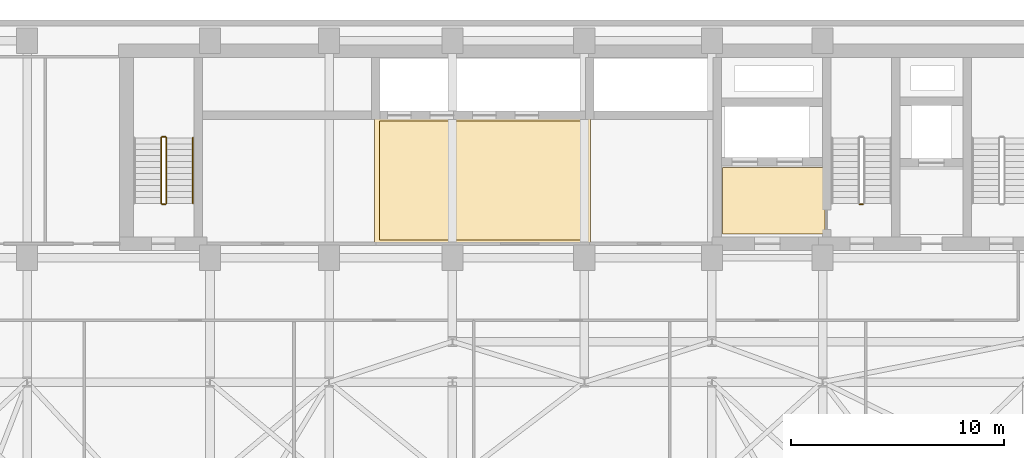
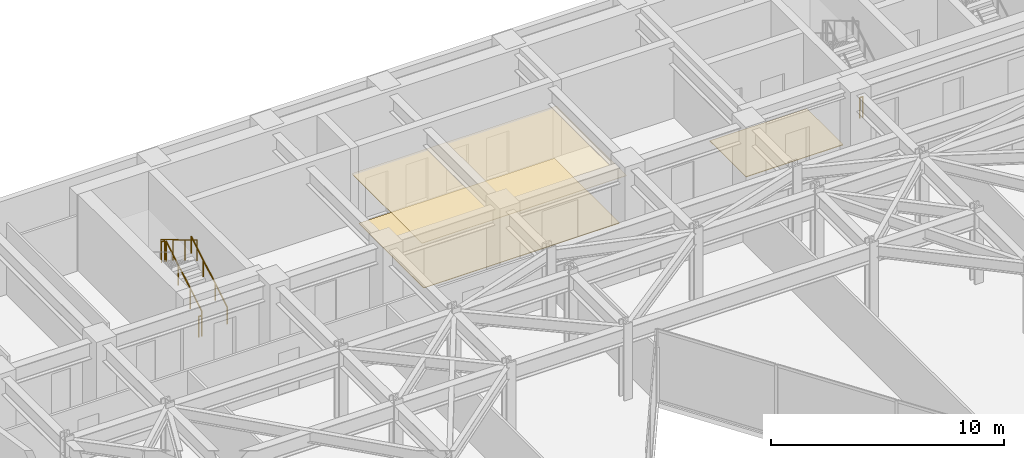
# One storey, part 23 of 24: 6 railings, 3 coverings.
"""IFC4 building model written with IfcOpenShell, lengths in metres."""

from ifc_helpers import new_model, si_unit, direction, frame, origin, origin_2d, place, context, subcontext, project, spatial, polyline, circle, outline, extrude, material, layer, layer_set, type_object, element, save


model = new_model("IFC4")

# Units and contexts
model_context = context("Model", 3, precision=1e-05, world=origin(), true_north=direction((0.0, 1.0)))
body_context = subcontext(model_context, "Body", "Model", "MODEL_VIEW")
ifc_project = project(units=[si_unit("LENGTHUNIT", "METRE"), si_unit("AREAUNIT", "SQUARE_METRE"), si_unit("VOLUMEUNIT", "CUBIC_METRE"), si_unit("PLANEANGLEUNIT", "RADIAN"), si_unit("MASSUNIT", "GRAM", prefix="KILO")], contexts=[model_context])

# Site, building, storey
site_placement = place(None, origin())
site = spatial("IfcSite", under=ifc_project, at=site_placement, CompositionType="ELEMENT")
building_placement = place(site_placement, origin())
building = spatial("IfcBuilding", under=site, at=building_placement, Name="Kravanh Interchange Tower", CompositionType="ELEMENT")
storey_placement = place(building_placement, frame((0.0, 0.0, 96.0)))
storey = spatial("IfcBuildingStorey", under=building, at=storey_placement, Name="L22", CompositionType="ELEMENT", Elevation=96.0)

# Coverings
ifc_material_1 = material(Name="Cementitious Terrazzo Tile")
ifc_layer_1 = layer(ifc_material_1, 0.030029296875)
ifc_layer_set_1 = layer_set([ifc_layer_1], Name="Honed Terrazzo Lobby Flooring 30mm")
covering_type_1 = type_object("IfcCoveringType", Name="Honed Terrazzo Lobby Flooring 30mm", PredefinedType="FLOORING", material=ifc_layer_set_1)
covering_1_placement = place(storey_placement, origin())
element("IfcCovering", 1, at=covering_1_placement, inside=storey, type_object=covering_type_1, Name="L22 Firefighting Lobby Floor Finish", PredefinedType="FLOORING", context=body_context, shape_type="SweptSolid", body=[
    extrude(outline(polyline([(56.1201171875, 38.4599609375), (51.300048828125, 38.4599609375), (51.300048828125, 41.580078125), (56.1201171875, 41.580078125), (56.1201171875, 38.4599609375)])), origin(), (0.0, 0.0, 1.0), 0.030029296875),
])
covering_2_placement = place(storey_placement, origin())
element("IfcCovering", 2, at=covering_2_placement, inside=storey, type_object=covering_type_1, Name="L22 Mid-Rise Lift Lobby Floor Finish", PredefinedType="FLOORING", context=body_context, shape_type="SweptSolid", body=[
    extrude(outline(polyline([(35.159912109375, 43.77001953125), (44.8701171875, 43.77001953125), (44.8701171875, 38.179931640625), (35.159912109375, 38.179931640625), (35.159912109375, 43.77001953125)])), origin(), (0.0, 0.0, 1.0), 0.030029296875),
])
ifc_material_2 = material(Name="Acoustic Mineral Fibre Tile on Aluminium Grid", Category="aluminium")
ifc_layer_2 = layer(ifc_material_2, 0.02490234375)
ifc_layer_set_2 = layer_set([ifc_layer_2], Name="Perforated Acoustic Mineral Ceiling 25mm")
covering_type_2 = type_object("IfcCoveringType", Name="Perforated Acoustic Mineral Ceiling 25mm", PredefinedType="CEILING", material=ifc_layer_set_2)
covering_3_placement = place(storey_placement, frame((0.0, 0.0, 2.550048828125)))
element("IfcCovering", 3, at=covering_3_placement, inside=storey, type_object=covering_type_2, Name="L22 Mid-Rise Lift Lobby Suspended Ceiling", PredefinedType="CEILING", context=body_context, shape_type="SweptSolid", body=[
    extrude(outline(polyline([(45.090087890625, 37.9599609375), (34.93994140625, 37.9599609375), (34.93994140625, 43.989990234375), (45.090087890625, 43.989990234375), (45.090087890625, 37.9599609375)])), origin(), (0.0, 0.0, 1.0), 0.02490234375),
])

# Railings
ifc_material_3 = material(Name="Structural Steel S355", Category="steel")
ifc_layer_3 = layer(ifc_material_3, 0.050048828125)
ifc_layer_set_3 = layer_set([ifc_layer_3], Name="Stair Well Guardrail Structural Steel S355 1100mm")
railing_type_1 = type_object("IfcRailingType", Name="Stair Well Guardrail Structural Steel S355 1100mm", PredefinedType="GUARDRAIL", material=ifc_layer_set_3)
railing_1_placement = place(storey_placement, frame((57.89990234375, 39.85009765625, 0.0)))
element("IfcRailing", 4, at=railing_1_placement, inside=storey, type_object=railing_type_1, Name="L22 ST2 stair guard 4", PredefinedType="GUARDRAIL", context=body_context, shape_type="SweptSolid", body=[
    extrude(circle(Radius=0.02392578125, at=origin_2d()), frame((0.0, 0.0, 1.076171875), z_axis=(-1.0, 0.0, 0.0), x_axis=(0.0, -1.0, 0.0)), (0.0, 0.0, 1.0), 0.14990234375),
    extrude(circle(Radius=0.02099609375, at=origin_2d()), origin(), (0.0, 0.0, 1.0), 1.052001953125),
    extrude(circle(Radius=0.02099609375, at=origin_2d()), frame((-0.14990234375, 0.0, 0.0)), (0.0, 0.0, 1.0), 1.052001953125),
])
railing_2_placement = place(storey_placement, frame((25.14990234375, 39.89990234375, 0.166748046875)))
element("IfcRailing", 5, at=railing_2_placement, inside=storey, type_object=railing_type_1, Name="L22 ST3 stair guard 1", PredefinedType="GUARDRAIL", context=body_context, shape_type="SweptSolid", body=[
    extrude(circle(Radius=0.02392578125, at=origin_2d()), frame((0.0, 0.0, 1.076171875), z_axis=(0.0, 0.859308565015, 0.511457515432), x_axis=(-1.0, 0.0, 0.0)), (0.0, 0.0, 1.0), 3.58447265625),
    extrude(circle(Radius=0.02099609375, at=origin_2d()), origin(), (0.0, 0.0, 1.0), 1.052001953125),
    extrude(circle(Radius=0.02099609375, at=origin_2d()), frame((0.0, 1.026611328125, 0.611083984375)), (0.0, 0.0, 1.0), 1.052001953125),
    extrude(circle(Radius=0.02099609375, at=origin_2d()), frame((0.0, 2.053466796875, 1.22216796875)), (0.0, 0.0, 1.0), 1.052001953125),
    extrude(circle(Radius=0.02099609375, at=origin_2d()), frame((0.0, 3.080078125, 1.833251953125)), (0.0, 0.0, 1.0), 1.052001953125),
])
railing_3_placement = place(storey_placement, frame((25.10009765625, 43.030029296875, 2.0)))
element("IfcRailing", 6, at=railing_3_placement, inside=storey, type_object=railing_type_1, Name="L22 ST3 stair guard 2", PredefinedType="GUARDRAIL", context=body_context, shape_type="SweptSolid", body=[
    extrude(circle(Radius=0.02392578125, at=origin_2d()), frame((0.0, 0.0, 1.076171875), z_axis=(-1.0, 0.0, 0.0), x_axis=(0.0, -1.0, 0.0)), (0.0, 0.0, 1.0), 0.150146484375),
    extrude(circle(Radius=0.02099609375, at=origin_2d()), origin(), (0.0, 0.0, 1.0), 1.052001953125),
    extrude(circle(Radius=0.02099609375, at=origin_2d()), frame((-0.150146484375, 0.0, 0.0)), (0.0, 0.0, 1.0), 1.052001953125),
])
railing_4_placement = place(storey_placement, frame((24.89990234375, 42.97998046875, 2.166748046875)))
element("IfcRailing", 7, at=railing_4_placement, inside=storey, type_object=railing_type_1, Name="L22 ST3 stair guard 3", PredefinedType="GUARDRAIL", context=body_context, shape_type="SweptSolid", body=[
    extrude(circle(Radius=0.02392578125, at=origin_2d()), frame((0.0, 0.0, 1.076171875), z_axis=(0.0, -0.859308565015, 0.511457515432), x_axis=(1.0, 0.0, 0.0)), (0.0, 0.0, 1.0), 3.58447265625),
    extrude(circle(Radius=0.02099609375, at=origin_2d()), origin(), (0.0, 0.0, 1.0), 1.052001953125),
    extrude(circle(Radius=0.02099609375, at=origin_2d()), frame((0.0, -1.026611328125, 0.611083984375)), (0.0, 0.0, 1.0), 1.052001953125),
    extrude(circle(Radius=0.02099609375, at=origin_2d()), frame((0.0, -2.053466796875, 1.22216796875)), (0.0, 0.0, 1.0), 1.052001953125),
    extrude(circle(Radius=0.02099609375, at=origin_2d()), frame((0.0, -3.080078125, 1.833251953125)), (0.0, 0.0, 1.0), 1.052001953125),
])
railing_5_placement = place(storey_placement, frame((25.10009765625, 39.85009765625, 0.0)))
element("IfcRailing", 8, at=railing_5_placement, inside=storey, type_object=railing_type_1, Name="L22 ST3 stair guard 4", PredefinedType="GUARDRAIL", context=body_context, shape_type="SweptSolid", body=[
    extrude(circle(Radius=0.02392578125, at=origin_2d()), frame((0.0, 0.0, 1.076171875), z_axis=(-1.0, 0.0, 0.0), x_axis=(0.0, -1.0, 0.0)), (0.0, 0.0, 1.0), 0.150146484375),
    extrude(circle(Radius=0.02099609375, at=origin_2d()), origin(), (0.0, 0.0, 1.0), 1.052001953125),
    extrude(circle(Radius=0.02099609375, at=origin_2d()), frame((-0.150146484375, 0.0, 0.0)), (0.0, 0.0, 1.0), 1.052001953125),
])
ifc_material_4 = material(Name="Stainless Steel 304", Category="steel")
ifc_layer_4 = layer(ifc_material_4, 0.044921875)
ifc_layer_set_4 = layer_set([ifc_layer_4], Name="Tubular Stair Handrail Stainless 304 900mm")
railing_type_2 = type_object("IfcRailingType", Name="Tubular Stair Handrail Stainless 304 900mm", PredefinedType="HANDRAIL", material=ifc_layer_set_4)
railing_6_placement = place(storey_placement, frame((26.39990234375, 39.89990234375, 0.166748046875)))
element("IfcRailing", 9, at=railing_6_placement, inside=storey, type_object=railing_type_2, Name="L22 ST3 stair handrail 1", PredefinedType="HANDRAIL", context=body_context, shape_type="SweptSolid", body=[
    extrude(circle(Radius=0.02392578125, at=origin_2d()), frame((0.0, 0.0, 0.8759765625), z_axis=(0.0, 0.859308565015, 0.511457515432), x_axis=(-1.0, 0.0, 0.0)), (0.0, 0.0, 1.0), 3.58447265625),
    extrude(circle(Radius=0.02099609375, at=origin_2d()), origin(), (0.0, 0.0, 1.0), 0.851806640625),
    extrude(circle(Radius=0.02099609375, at=origin_2d()), frame((0.0, 1.026611328125, 0.611083984375)), (0.0, 0.0, 1.0), 0.851806640625),
    extrude(circle(Radius=0.02099609375, at=origin_2d()), frame((0.0, 2.053466796875, 1.22216796875)), (0.0, 0.0, 1.0), 0.851806640625),
    extrude(circle(Radius=0.02099609375, at=origin_2d()), frame((0.0, 3.080078125, 1.833251953125)), (0.0, 0.0, 1.0), 0.851806640625),
])

save(model, "model.ifc")
